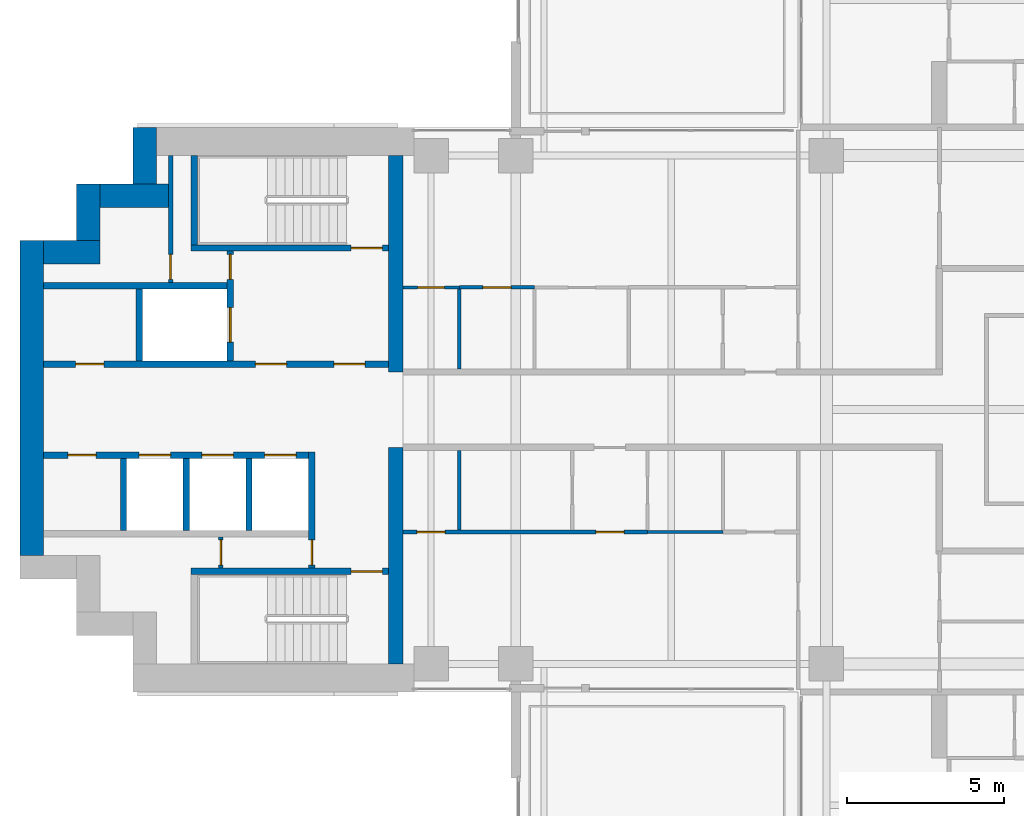
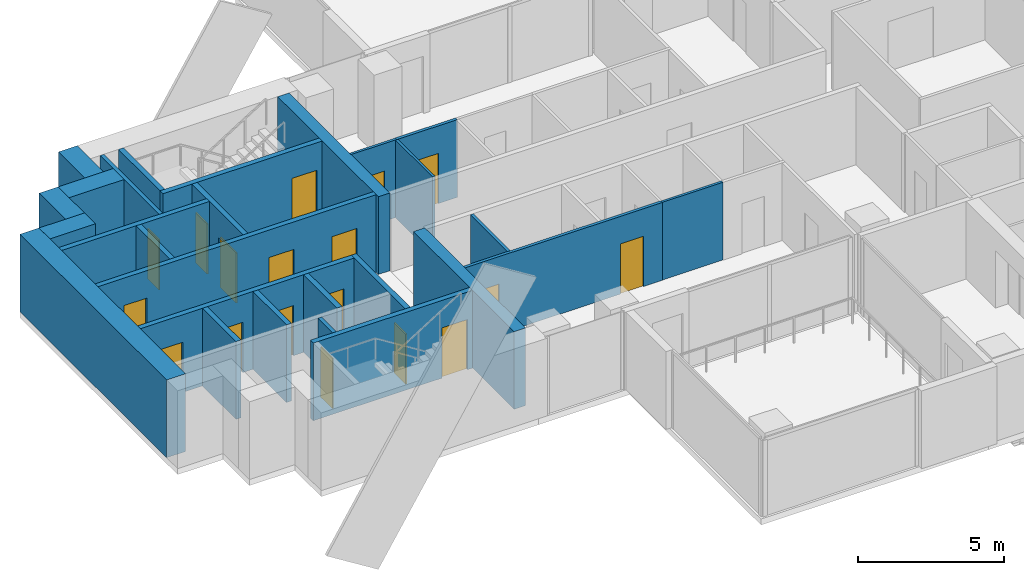
# One storey, part 9 of 19: 27 walls, 18 doors, 18 openings.
"""IFC4 building model written with IfcOpenShell, lengths in metres."""

from ifc_helpers import new_model, si_unit, direction, frame, frame_2d, origin, place, context, subcontext, project, spatial, rectangle, extrude, material, layer, layer_set, type_object, element, fill, save


model = new_model("IFC4")

# Units and contexts
model_context = context("Model", 3, precision=1e-05, world=origin(), true_north=direction((0.0, 1.0)))
body_context = subcontext(model_context, "Body", "Model", "MODEL_VIEW")
ifc_project = project(units=[si_unit("LENGTHUNIT", "METRE"), si_unit("AREAUNIT", "SQUARE_METRE"), si_unit("VOLUMEUNIT", "CUBIC_METRE"), si_unit("PLANEANGLEUNIT", "RADIAN"), si_unit("MASSUNIT", "GRAM", prefix="KILO")], contexts=[model_context])

# Site, building, storey
site_placement = place(None, origin())
site = spatial("IfcSite", under=ifc_project, at=site_placement, CompositionType="ELEMENT")
building_placement = place(site_placement, origin())
building = spatial("IfcBuilding", under=site, at=building_placement, Name="Perihelion Cross Residences", CompositionType="ELEMENT")
storey_placement = place(building_placement, frame((0.0, 0.0, 147.89990234375)))
storey = spatial("IfcBuildingStorey", under=building, at=storey_placement, Name="L36", CompositionType="ELEMENT", Elevation=147.89990234375)

# Walls
ifc_material_1 = material(Name="Concrete C60/75", Category="concrete")
ifc_layer_1 = layer(ifc_material_1, 0.449951171875)
ifc_layer_set_1 = layer_set([ifc_layer_1], Name="Core wall, inner 450")
wall_type_1 = type_object("IfcWallType", Name="Core wall, inner 450", PredefinedType="SHEAR", material=ifc_layer_set_1)
for number, where, z_axis, x_axis, name in (
    (1, (-21.824951171875, -8.10009765625, 0.0), (0.0, 0.0, 1.0), (0.0, 1.0, 0.0), "West core core wall, inner"),
    (2, (-21.824951171875, 1.199951171875, 0.0), (0.0, 0.0, 1.0), (0.0, 1.0, 0.0), "West core core wall, inner"),
):
    element("IfcWall", number, at=place(storey_placement, frame(where, z_axis=z_axis, x_axis=x_axis)), inside=storey, type_object=wall_type_1, Name=name, PredefinedType="SHEAR", context=body_context, shape_type="SweptSolid", body=[
        extrude(rectangle(XDim=6.900146484375, YDim=0.449951171875, at=frame_2d((3.4501953125, 0.0))), origin(), (0.0, 0.0, 1.0), 3.25),
    ])
ifc_material_2 = material(Name="Concrete C60/75", Category="concrete")
ifc_layer_2 = layer(ifc_material_2, 0.75)
ifc_layer_set_2 = layer_set([ifc_layer_2], Name="Core wall, outer 750")
wall_type_2 = type_object("IfcWallType", Name="Core wall, outer 750", PredefinedType="SHEAR", material=ifc_layer_set_2)
wall_1_placement = place(storey_placement, frame((-33.425048828125, -4.64990234375, 0.0), z_axis=(0.0, 0.0, 1.0), x_axis=(0.0, 1.0, 0.0)))
element("IfcWall", 3, at=wall_1_placement, inside=storey, type_object=wall_type_2, Name="West core core wall, outer", PredefinedType="SHEAR", context=body_context, shape_type="SweptSolid", body=[
    extrude(rectangle(XDim=10.0498046875, YDim=0.75, at=frame_2d((5.02490234375, 0.0))), origin(), (0.0, 0.0, 1.0), 3.25),
])
for number, where, z_axis, x_axis, name in (
    (4, (-33.050048828125, 5.02490234375, 0.0), (0.0, 0.0, 1.0), (1.0, 0.0, 0.0), "West core core wall, outer"),
    (5, (-31.625, 5.39990234375, 0.0), (0.0, 0.0, 1.0), (0.0, 1.0, 0.0), "West core core wall, outer"),
):
    element("IfcWall", number, at=place(storey_placement, frame(where, z_axis=z_axis, x_axis=x_axis)), inside=storey, type_object=wall_type_2, Name=name, PredefinedType="SHEAR", context=body_context, shape_type="SweptSolid", body=[
        extrude(rectangle(XDim=1.800048828125, YDim=0.75, at=frame_2d((0.89990234375, 0.0))), origin(), (0.0, 0.0, 1.0), 3.25),
    ])
wall_2_placement = place(storey_placement, frame((-31.25, 6.824951171875, 0.0), z_axis=(0.0, 0.0, 1.0), x_axis=(1.0, 0.0, 0.0)))
element("IfcWall", 6, at=wall_2_placement, inside=storey, type_object=wall_type_2, Name="West core core wall, outer", PredefinedType="SHEAR", context=body_context, shape_type="SweptSolid", body=[
    extrude(rectangle(XDim=2.175048828125, YDim=0.75, at=frame_2d((1.08740234375, 0.0))), origin(), (0.0, 0.0, 1.0), 3.25),
])
wall_3_placement = place(storey_placement, frame((-29.824951171875, 7.199951171875, 0.0), z_axis=(0.0, 0.0, 1.0), x_axis=(0.0, 1.0, 0.0)))
element("IfcWall", 7, at=wall_3_placement, inside=storey, type_object=wall_type_2, Name="West core core wall, outer", PredefinedType="SHEAR", context=body_context, shape_type="SweptSolid", body=[
    extrude(rectangle(XDim=1.800048828125, YDim=0.75, at=frame_2d((0.89990234375, 0.0))), origin(), (0.0, 0.0, 1.0), 3.25),
])

# Wall, opening, door
ifc_material_3 = material(Name="Concrete C50/60", Category="concrete")
ifc_layer_3 = layer(ifc_material_3, 0.199951171875)
ifc_layer_set_3 = layer_set([ifc_layer_3], Name="Lobby wall 200")
wall_type_3 = type_object("IfcWallType", Name="Lobby wall 200", PredefinedType="SOLIDWALL", material=ifc_layer_set_3)
wall_4_placement = place(storey_placement, frame((-24.5, -5.050048828125, 0.0), z_axis=(0.0, 0.0, 1.0), x_axis=(0.0, 1.0, 0.0)))
wall_4 = element("IfcWall", 8, at=wall_4_placement, inside=storey, type_object=wall_type_3, Name="West core lobby wall", PredefinedType="SOLIDWALL", context=body_context, shape_type="SweptSolid", body=[
    extrude(rectangle(XDim=3.699951171875, YDim=0.199951171875, at=frame_2d((1.85009765625, 0.0))), origin(), (0.0, 0.0, 1.0), 3.25),
])
opening_1_placement = place(wall_4_placement, frame((0.10009765625, 0.0, 0.0)))
opening_1 = element("IfcOpeningElement", 9, at=opening_1_placement, cuts=wall_4, Name="Opening L36.C22", PredefinedType="OPENING", context=body_context, shape_type="SweptSolid", body=[
    extrude(rectangle(XDim=0.800048828125, YDim=2.10009765625, at=frame_2d((0.39990234375, 1.050048828125))), frame((0.0, 0.10986328125, 0.0), z_axis=(0.0, -1.0, 0.0), x_axis=(1.0, 0.0, 0.0)), (0.0, 0.0, 1.0), 0.219970703125),
])
ifc_material_4 = material(Name="Steel, powder coated", Category="steel")
door_type_1 = type_object("IfcDoorType", Name="Riser door 800", OperationType="SINGLE_SWING_LEFT", PredefinedType="DOOR", material=ifc_material_4)
door_1_placement = place(opening_1_placement, origin())
door_1 = element("IfcDoor", 10, at=door_1_placement, inside=storey, type_object=door_type_1, Name="West core riser door", OperationType="SINGLE_SWING_LEFT", OverallHeight=2.10009765625, OverallWidth=0.800048828125, PredefinedType="DOOR", context=body_context, shape_type="SweptSolid", body=[
    extrude(rectangle(XDim=0.800048828125, YDim=2.10009765625, at=frame_2d((0.39990234375, 1.050048828125))), frame((0.0, 0.02490234375, 0.0), z_axis=(0.0, -1.0, 0.0), x_axis=(1.0, 0.0, 0.0)), (0.0, 0.0, 1.0), 0.050048828125),
])
fill(opening_1, door_1)

ifc_material_5 = material(Name="Plasterboard partition")
ifc_layer_4 = layer(ifc_material_5, 0.1201171875)
ifc_layer_set_4 = layer_set([ifc_layer_4], Name="Partition wall 120")
wall_type_4 = type_object("IfcWallType", Name="Partition wall 120", PredefinedType="PARTITIONING", material=ifc_layer_set_4)
wall_5_placement = place(storey_placement, frame((-19.800048828125, 3.89990234375, 0.0), z_axis=(0.0, 0.0, 1.0), x_axis=(1.0, 0.0, 0.0)))
wall_5 = element("IfcWall", 11, at=wall_5_placement, inside=storey, type_object=wall_type_4, Name="Partition L36 W053", PredefinedType="PARTITIONING", context=body_context, shape_type="SweptSolid", body=[
    extrude(rectangle(XDim=2.400146484375, YDim=0.1201171875, at=frame_2d((1.2001953125, 0.0))), origin(), (0.0, 0.0, 1.0), 3.25),
])
opening_2_placement = place(wall_5_placement, frame((0.75, 0.0, 0.0)))
opening_2 = element("IfcOpeningElement", 12, at=opening_2_placement, cuts=wall_5, Name="Opening L36.A25", PredefinedType="OPENING", context=body_context, shape_type="SweptSolid", body=[
    extrude(rectangle(XDim=0.89990234375, YDim=2.10009765625, at=frame_2d((0.449951171875, 1.050048828125))), frame((0.0, 0.070068359375, 0.0), z_axis=(0.0, -1.0, 0.0), x_axis=(1.0, 0.0, 0.0)), (0.0, 0.0, 1.0), 0.14013671875),
])
ifc_material_6 = material(Name="Timber door leaf", Category="wood")
door_type_2 = type_object("IfcDoorType", Name="Interior room door 900 x 2100", OperationType="SINGLE_SWING_LEFT", PredefinedType="DOOR", material=ifc_material_6)
door_2_placement = place(opening_2_placement, origin())
door_2 = element("IfcDoor", 13, at=door_2_placement, inside=storey, type_object=door_type_2, Name="Door L36.A25", OperationType="SINGLE_SWING_RIGHT", OverallHeight=2.10009765625, OverallWidth=0.89990234375, PredefinedType="DOOR", context=body_context, shape_type="SweptSolid", body=[
    extrude(rectangle(XDim=0.89990234375, YDim=2.10009765625, at=frame_2d((0.449951171875, 1.050048828125))), frame((0.0, 0.02490234375, 0.0), z_axis=(0.0, -1.0, 0.0), x_axis=(1.0, 0.0, 0.0)), (0.0, 0.0, 1.0), 0.050048828125),
])
fill(opening_2, door_2)

# Wall, openings, doors
wall_6_placement = place(storey_placement, frame((-13.800048828125, -3.89990234375, 0.0), z_axis=(0.0, 0.0, 1.0), x_axis=(-1.0, 0.0, 0.0)))
wall_6 = element("IfcWall", 14, at=wall_6_placement, inside=storey, type_object=wall_type_4, Name="Partition L36 W062", PredefinedType="PARTITIONING", context=body_context, shape_type="SweptSolid", body=[
    extrude(rectangle(XDim=7.800048828125, YDim=0.1201171875, at=frame_2d((3.89990234375, 0.0))), origin(), (0.0, 0.0, 1.0), 3.25),
])
opening_3_placement = place(wall_6_placement, frame((6.449951171875, 0.0, 0.0)))
opening_3 = element("IfcOpeningElement", 15, at=opening_3_placement, cuts=wall_6, Name="Opening L36.A30", PredefinedType="OPENING", context=body_context, shape_type="SweptSolid", body=[
    extrude(rectangle(XDim=0.89990234375, YDim=2.10009765625, at=frame_2d((0.449951171875, 1.050048828125))), frame((0.0, 0.070068359375, 0.0), z_axis=(0.0, -1.0, 0.0), x_axis=(1.0, 0.0, 0.0)), (0.0, 0.0, 1.0), 0.14013671875),
])
opening_4_placement = place(wall_6_placement, frame((0.75, 0.0, 0.0)))
opening_4 = element("IfcOpeningElement", 16, at=opening_4_placement, cuts=wall_6, Name="Opening L36.A32", PredefinedType="OPENING", context=body_context, shape_type="SweptSolid", body=[
    extrude(rectangle(XDim=0.89990234375, YDim=2.10009765625, at=frame_2d((0.449951171875, 1.050048828125))), frame((0.0, 0.070068359375, 0.0), z_axis=(0.0, -1.0, 0.0), x_axis=(1.0, 0.0, 0.0)), (0.0, 0.0, 1.0), 0.14013671875),
])
door_3_placement = place(opening_3_placement, origin())
door_3 = element("IfcDoor", 17, at=door_3_placement, inside=storey, type_object=door_type_2, Name="Door L36.A30", OperationType="SINGLE_SWING_LEFT", OverallHeight=2.10009765625, OverallWidth=0.89990234375, PredefinedType="DOOR", context=body_context, shape_type="SweptSolid", body=[
    extrude(rectangle(XDim=0.89990234375, YDim=2.10009765625, at=frame_2d((0.449951171875, 1.050048828125))), frame((0.0, 0.02490234375, 0.0), z_axis=(0.0, -1.0, 0.0), x_axis=(1.0, 0.0, 0.0)), (0.0, 0.0, 1.0), 0.050048828125),
])
fill(opening_3, door_3)
door_4_placement = place(opening_4_placement, origin())
door_4 = element("IfcDoor", 18, at=door_4_placement, inside=storey, type_object=door_type_2, Name="Door L36.A32", OperationType="SINGLE_SWING_LEFT", OverallHeight=2.10009765625, OverallWidth=0.89990234375, PredefinedType="DOOR", context=body_context, shape_type="SweptSolid", body=[
    extrude(rectangle(XDim=0.89990234375, YDim=2.10009765625, at=frame_2d((0.449951171875, 1.050048828125))), frame((0.0, 0.02490234375, 0.0), z_axis=(0.0, -1.0, 0.0), x_axis=(1.0, 0.0, 0.0)), (0.0, 0.0, 1.0), 0.050048828125),
])
fill(opening_4, door_4)

# Wall
wall_7_placement = place(storey_placement, frame((-19.800048828125, -3.840087890625, 0.0), z_axis=(0.0, 0.0, 1.0), x_axis=(0.0, 1.0, 0.0)))
element("IfcWall", 19, at=wall_7_placement, inside=storey, type_object=wall_type_4, Name="Partition L36 W063", PredefinedType="PARTITIONING", context=body_context, shape_type="SweptSolid", body=[
    extrude(rectangle(XDim=2.5400390625, YDim=0.1201171875, at=frame_2d((1.27001953125, 0.0))), origin(), (0.0, 0.0, 1.0), 3.25),
])

# Wall, opening, door
ifc_material_7 = material(Name="Fire-rated board on steel stud", Category="steel")
ifc_layer_5 = layer(ifc_material_7, 0.14990234375)
ifc_layer_set_5 = layer_set([ifc_layer_5], Name="Riser wall 150")
wall_type_5 = type_object("IfcWallType", Name="Riser wall 150", PredefinedType="PARTITIONING", material=ifc_layer_set_5)
wall_8_placement = place(storey_placement, frame((-29.0, 4.050048828125, 0.0), z_axis=(0.0, 0.0, 1.0), x_axis=(0.0, 1.0, 0.0)))
wall_8 = element("IfcWall", 20, at=wall_8_placement, inside=storey, type_object=wall_type_5, Name="West core riser wall", PredefinedType="PARTITIONING", context=body_context, shape_type="SweptSolid", body=[
    extrude(rectangle(XDim=4.050048828125, YDim=0.14990234375, at=frame_2d((2.02490234375, 0.0))), origin(), (0.0, 0.0, 1.0), 3.25),
])
opening_5_placement = place(wall_8_placement, frame((0.10009765625, 0.0, 0.0)))
opening_5 = element("IfcOpeningElement", 21, at=opening_5_placement, cuts=wall_8, Name="Opening L36.C26", PredefinedType="OPENING", context=body_context, shape_type="SweptSolid", body=[
    extrude(rectangle(XDim=0.800048828125, YDim=2.10009765625, at=frame_2d((0.39990234375, 1.050048828125))), frame((0.0, 0.0849609375, 0.0), z_axis=(0.0, -1.0, 0.0), x_axis=(1.0, 0.0, 0.0)), (0.0, 0.0, 1.0), 0.169921875),
])
door_5_placement = place(opening_5_placement, origin())
door_5 = element("IfcDoor", 22, at=door_5_placement, inside=storey, type_object=door_type_1, Name="West core riser door", OperationType="SINGLE_SWING_LEFT", OverallHeight=2.10009765625, OverallWidth=0.800048828125, PredefinedType="DOOR", context=body_context, shape_type="SweptSolid", body=[
    extrude(rectangle(XDim=0.800048828125, YDim=2.10009765625, at=frame_2d((0.39990234375, 1.050048828125))), frame((0.0, 0.02490234375, 0.0), z_axis=(0.0, -1.0, 0.0), x_axis=(1.0, 0.0, 0.0)), (0.0, 0.0, 1.0), 0.050048828125),
])
fill(opening_5, door_5)

wall_9_placement = place(storey_placement, frame((-27.39990234375, -5.050048828125, 0.0), z_axis=(0.0, 0.0, 1.0), x_axis=(0.0, 1.0, 0.0)))
wall_9 = element("IfcWall", 23, at=wall_9_placement, inside=storey, type_object=wall_type_5, Name="West core riser wall", PredefinedType="PARTITIONING", context=body_context, shape_type="SweptSolid", body=[
    extrude(rectangle(XDim=1.0, YDim=0.14990234375, at=frame_2d((0.5, 0.0))), origin(), (0.0, 0.0, 1.0), 3.25),
])
opening_6_placement = place(wall_9_placement, frame((0.10009765625, 0.0, 0.0)))
opening_6 = element("IfcOpeningElement", 24, at=opening_6_placement, cuts=wall_9, Name="Opening L36.C25", PredefinedType="OPENING", context=body_context, shape_type="SweptSolid", body=[
    extrude(rectangle(XDim=0.800048828125, YDim=2.10009765625, at=frame_2d((0.39990234375, 1.050048828125))), frame((0.0, 0.0849609375, 0.0), z_axis=(0.0, -1.0, 0.0), x_axis=(1.0, 0.0, 0.0)), (0.0, 0.0, 1.0), 0.169921875),
])
door_6_placement = place(opening_6_placement, origin())
door_6 = element("IfcDoor", 25, at=door_6_placement, inside=storey, type_object=door_type_1, Name="West core riser door", OperationType="SINGLE_SWING_LEFT", OverallHeight=2.10009765625, OverallWidth=0.800048828125, PredefinedType="DOOR", context=body_context, shape_type="SweptSolid", body=[
    extrude(rectangle(XDim=0.800048828125, YDim=2.10009765625, at=frame_2d((0.39990234375, 1.050048828125))), frame((0.0, 0.02490234375, 0.0), z_axis=(0.0, -1.0, 0.0), x_axis=(1.0, 0.0, 0.0)), (0.0, 0.0, 1.0), 0.050048828125),
])
fill(opening_6, door_6)

# Wall, openings, doors
ifc_material_8 = material(Name="Concrete C50/60", Category="concrete")
ifc_layer_6 = layer(ifc_material_8, 0.199951171875)
ifc_layer_set_6 = layer_set([ifc_layer_6], Name="Shaft wall 200")
wall_type_6 = type_object("IfcWallType", Name="Shaft wall 200", PredefinedType="SOLIDWALL", material=ifc_layer_set_6)
wall_10_placement = place(storey_placement, frame((-33.050048828125, 1.449951171875, 0.0), z_axis=(0.0, 0.0, 1.0), x_axis=(1.0, 0.0, 0.0)))
wall_10 = element("IfcWall", 26, at=wall_10_placement, inside=storey, type_object=wall_type_6, Name="West core shaft wall", PredefinedType="SOLIDWALL", context=body_context, shape_type="SweptSolid", body=[
    extrude(rectangle(XDim=11.0, YDim=0.199951171875, at=frame_2d((5.5, 0.0))), origin(), (0.0, 0.0, 1.0), 3.25),
])
opening_7_placement = place(wall_10_placement, frame((9.25, 0.0, 0.0)))
opening_7 = element("IfcOpeningElement", 27, at=opening_7_placement, cuts=wall_10, Name="Opening L36.C21", PredefinedType="OPENING", context=body_context, shape_type="SweptSolid", body=[
    extrude(rectangle(XDim=1.0, YDim=2.10009765625, at=frame_2d((0.5, 1.050048828125))), frame((0.0, 0.10986328125, 0.0), z_axis=(0.0, -1.0, 0.0), x_axis=(1.0, 0.0, 0.0)), (0.0, 0.0, 1.0), 0.219970703125),
])
opening_8_placement = place(wall_10_placement, frame((6.75, 0.0, 0.0)))
opening_8 = element("IfcOpeningElement", 28, at=opening_8_placement, cuts=wall_10, Name="Opening L36.C23", PredefinedType="OPENING", context=body_context, shape_type="SweptSolid", body=[
    extrude(rectangle(XDim=1.0, YDim=2.10009765625, at=frame_2d((0.5, 1.050048828125))), frame((0.0, 0.10986328125, 0.0), z_axis=(0.0, -1.0, 0.0), x_axis=(1.0, 0.0, 0.0)), (0.0, 0.0, 1.0), 0.219970703125),
])
opening_9_placement = place(wall_10_placement, frame((1.02490234375, 0.0, 0.0)))
opening_9 = element("IfcOpeningElement", 29, at=opening_9_placement, cuts=wall_10, Name="Opening L36.C27", PredefinedType="OPENING", context=body_context, shape_type="SweptSolid", body=[
    extrude(rectangle(XDim=0.89990234375, YDim=2.10009765625, at=frame_2d((0.449951171875, 1.050048828125))), frame((0.0, 0.10986328125, 0.0), z_axis=(0.0, -1.0, 0.0), x_axis=(1.0, 0.0, 0.0)), (0.0, 0.0, 1.0), 0.219970703125),
])
ifc_material_9 = material(Name="Steel, powder coated", Category="steel")
door_type_3 = type_object("IfcDoorType", Name="Lobby door 1000", OperationType="SINGLE_SWING_LEFT", PredefinedType="DOOR", material=ifc_material_9)
door_7_placement = place(opening_7_placement, origin())
door_7 = element("IfcDoor", 30, at=door_7_placement, inside=storey, type_object=door_type_3, Name="West core firefighting lobby door", OperationType="SINGLE_SWING_LEFT", OverallHeight=2.10009765625, OverallWidth=1.0, PredefinedType="DOOR", context=body_context, shape_type="SweptSolid", body=[
    extrude(rectangle(XDim=1.0, YDim=2.10009765625, at=frame_2d((0.5, 1.050048828125))), frame((0.0, 0.02490234375, 0.0), z_axis=(0.0, -1.0, 0.0), x_axis=(1.0, 0.0, 0.0)), (0.0, 0.0, 1.0), 0.050048828125),
])
fill(opening_7, door_7)
door_8_placement = place(opening_8_placement, origin())
door_8 = element("IfcDoor", 31, at=door_8_placement, inside=storey, type_object=door_type_3, Name="West core firefighting lobby door", OperationType="SINGLE_SWING_LEFT", OverallHeight=2.10009765625, OverallWidth=1.0, PredefinedType="DOOR", context=body_context, shape_type="SweptSolid", body=[
    extrude(rectangle(XDim=1.0, YDim=2.10009765625, at=frame_2d((0.5, 1.050048828125))), frame((0.0, 0.02490234375, 0.0), z_axis=(0.0, -1.0, 0.0), x_axis=(1.0, 0.0, 0.0)), (0.0, 0.0, 1.0), 0.050048828125),
])
fill(opening_8, door_8)
ifc_material_10 = material(Name="Steel, powder coated", Category="steel")
door_type_4 = type_object("IfcDoorType", Name="Service room door 900", OperationType="SINGLE_SWING_LEFT", PredefinedType="DOOR", material=ifc_material_10)
door_9_placement = place(opening_9_placement, origin())
door_9 = element("IfcDoor", 32, at=door_9_placement, inside=storey, type_object=door_type_4, Name="West core service room door", OperationType="SINGLE_SWING_LEFT", OverallHeight=2.10009765625, OverallWidth=0.89990234375, PredefinedType="DOOR", context=body_context, shape_type="SweptSolid", body=[
    extrude(rectangle(XDim=0.89990234375, YDim=2.10009765625, at=frame_2d((0.449951171875, 1.050048828125))), frame((0.0, 0.02490234375, 0.0), z_axis=(0.0, -1.0, 0.0), x_axis=(1.0, 0.0, 0.0)), (0.0, 0.0, 1.0), 0.050048828125),
])
fill(opening_9, door_9)

wall_11_placement = place(storey_placement, frame((-33.050048828125, -1.449951171875, 0.0), z_axis=(0.0, 0.0, 1.0), x_axis=(1.0, 0.0, 0.0)))
wall_11 = element("IfcWall", 33, at=wall_11_placement, inside=storey, type_object=wall_type_6, Name="West core shaft wall", PredefinedType="SOLIDWALL", context=body_context, shape_type="SweptSolid", body=[
    extrude(rectangle(XDim=8.449951171875, YDim=0.199951171875, at=frame_2d((4.22509765625, 0.0))), origin(), (0.0, 0.0, 1.0), 3.25),
])
opening_10_placement = place(wall_11_placement, frame((7.050048828125, 0.0, 0.0)))
opening_10 = element("IfcOpeningElement", 34, at=opening_10_placement, cuts=wall_11, Name="Opening L36.C15", PredefinedType="OPENING", context=body_context, shape_type="SweptSolid", body=[
    extrude(rectangle(XDim=1.0, YDim=2.10009765625, at=frame_2d((0.5, 1.050048828125))), frame((0.0, 0.10986328125, 0.0), z_axis=(0.0, -1.0, 0.0), x_axis=(1.0, 0.0, 0.0)), (0.0, 0.0, 1.0), 0.219970703125),
])
opening_11_placement = place(wall_11_placement, frame((5.050048828125, 0.0, 0.0)))
opening_11 = element("IfcOpeningElement", 35, at=opening_11_placement, cuts=wall_11, Name="Opening L36.C17", PredefinedType="OPENING", context=body_context, shape_type="SweptSolid", body=[
    extrude(rectangle(XDim=1.0, YDim=2.10009765625, at=frame_2d((0.5, 1.050048828125))), frame((0.0, 0.10986328125, 0.0), z_axis=(0.0, -1.0, 0.0), x_axis=(1.0, 0.0, 0.0)), (0.0, 0.0, 1.0), 0.219970703125),
])
opening_12_placement = place(wall_11_placement, frame((3.050048828125, 0.0, 0.0)))
opening_12 = element("IfcOpeningElement", 36, at=opening_12_placement, cuts=wall_11, Name="Opening L36.C18", PredefinedType="OPENING", context=body_context, shape_type="SweptSolid", body=[
    extrude(rectangle(XDim=1.0, YDim=2.10009765625, at=frame_2d((0.5, 1.050048828125))), frame((0.0, 0.10986328125, 0.0), z_axis=(0.0, -1.0, 0.0), x_axis=(1.0, 0.0, 0.0)), (0.0, 0.0, 1.0), 0.219970703125),
])
opening_13_placement = place(wall_11_placement, frame((0.77490234375, 0.0, 0.0)))
opening_13 = element("IfcOpeningElement", 37, at=opening_13_placement, cuts=wall_11, Name="Opening L36.C28", PredefinedType="OPENING", context=body_context, shape_type="SweptSolid", body=[
    extrude(rectangle(XDim=0.89990234375, YDim=2.10009765625, at=frame_2d((0.449951171875, 1.050048828125))), frame((0.0, 0.10986328125, 0.0), z_axis=(0.0, -1.0, 0.0), x_axis=(1.0, 0.0, 0.0)), (0.0, 0.0, 1.0), 0.219970703125),
])
ifc_material_11 = material(Name="Stainless steel", Category="steel")
door_type_5 = type_object("IfcDoorType", Name="Landing door 1000", OperationType="DOUBLE_DOOR_SLIDING", PredefinedType="DOOR", material=ifc_material_11)
door_10_placement = place(opening_10_placement, origin())
door_10 = element("IfcDoor", 38, at=door_10_placement, inside=storey, type_object=door_type_5, Name="Landing door, West core high-rise lift 1", OperationType="DOUBLE_DOOR_SLIDING", OverallHeight=2.10009765625, OverallWidth=1.0, PredefinedType="DOOR", context=body_context, shape_type="SweptSolid", body=[
    extrude(rectangle(XDim=1.0, YDim=2.10009765625, at=frame_2d((0.5, 1.050048828125))), frame((0.0, 0.02490234375, 0.0), z_axis=(0.0, -1.0, 0.0), x_axis=(1.0, 0.0, 0.0)), (0.0, 0.0, 1.0), 0.050048828125),
])
fill(opening_10, door_10)
door_11_placement = place(opening_11_placement, origin())
door_11 = element("IfcDoor", 39, at=door_11_placement, inside=storey, type_object=door_type_5, Name="Landing door, West core high-rise lift 2", OperationType="DOUBLE_DOOR_SLIDING", OverallHeight=2.10009765625, OverallWidth=1.0, PredefinedType="DOOR", context=body_context, shape_type="SweptSolid", body=[
    extrude(rectangle(XDim=1.0, YDim=2.10009765625, at=frame_2d((0.5, 1.050048828125))), frame((0.0, 0.02490234375, 0.0), z_axis=(0.0, -1.0, 0.0), x_axis=(1.0, 0.0, 0.0)), (0.0, 0.0, 1.0), 0.050048828125),
])
fill(opening_11, door_11)
door_12_placement = place(opening_12_placement, origin())
door_12 = element("IfcDoor", 40, at=door_12_placement, inside=storey, type_object=door_type_5, Name="Landing door, West core high-rise lift 3", OperationType="DOUBLE_DOOR_SLIDING", OverallHeight=2.10009765625, OverallWidth=1.0, PredefinedType="DOOR", context=body_context, shape_type="SweptSolid", body=[
    extrude(rectangle(XDim=1.0, YDim=2.10009765625, at=frame_2d((0.5, 1.050048828125))), frame((0.0, 0.02490234375, 0.0), z_axis=(0.0, -1.0, 0.0), x_axis=(1.0, 0.0, 0.0)), (0.0, 0.0, 1.0), 0.050048828125),
])
fill(opening_12, door_12)
door_13_placement = place(opening_13_placement, origin())
door_13 = element("IfcDoor", 41, at=door_13_placement, inside=storey, type_object=door_type_4, Name="West core service room door", OperationType="SINGLE_SWING_LEFT", OverallHeight=2.10009765625, OverallWidth=0.89990234375, PredefinedType="DOOR", context=body_context, shape_type="SweptSolid", body=[
    extrude(rectangle(XDim=0.89990234375, YDim=2.10009765625, at=frame_2d((0.449951171875, 1.050048828125))), frame((0.0, 0.02490234375, 0.0), z_axis=(0.0, -1.0, 0.0), x_axis=(1.0, 0.0, 0.0)), (0.0, 0.0, 1.0), 0.050048828125),
])
fill(opening_13, door_13)

# Wall
wall_12_placement = place(storey_placement, frame((-33.050048828125, 3.949951171875, 0.0), z_axis=(0.0, 0.0, 1.0), x_axis=(1.0, 0.0, 0.0)))
element("IfcWall", 42, at=wall_12_placement, inside=storey, type_object=wall_type_6, Name="West core shaft wall", PredefinedType="SOLIDWALL", context=body_context, shape_type="SweptSolid", body=[
    extrude(rectangle(XDim=5.85009765625, YDim=0.199951171875, at=frame_2d((2.925048828125, 0.0))), origin(), (0.0, 0.0, 1.0), 3.25),
])

# Wall, openings, doors
wall_13_placement = place(storey_placement, frame((-27.10009765625, 1.550048828125, 0.0), z_axis=(0.0, 0.0, 1.0), x_axis=(0.0, 1.0, 0.0)))
wall_13 = element("IfcWall", 43, at=wall_13_placement, inside=storey, type_object=wall_type_6, Name="West core shaft wall", PredefinedType="SOLIDWALL", context=body_context, shape_type="SweptSolid", body=[
    extrude(rectangle(XDim=3.5, YDim=0.199951171875, at=frame_2d((1.75, 0.0))), origin(), (0.0, 0.0, 1.0), 3.25),
])
opening_14_placement = place(wall_13_placement, frame((0.60009765625, 0.0, 0.0)))
opening_14 = element("IfcOpeningElement", 44, at=opening_14_placement, cuts=wall_13, Name="Opening L36.C16", PredefinedType="OPENING", context=body_context, shape_type="SweptSolid", body=[
    extrude(rectangle(XDim=1.10009765625, YDim=2.10009765625, at=frame_2d((0.550048828125, 1.050048828125))), frame((0.0, 0.10986328125, 0.0), z_axis=(0.0, -1.0, 0.0), x_axis=(1.0, 0.0, 0.0)), (0.0, 0.0, 1.0), 0.219970703125),
])
opening_15_placement = place(wall_13_placement, frame((2.60009765625, 0.0, 0.0)))
opening_15 = element("IfcOpeningElement", 45, at=opening_15_placement, cuts=wall_13, Name="Opening L36.C24", PredefinedType="OPENING", context=body_context, shape_type="SweptSolid", body=[
    extrude(rectangle(XDim=0.800048828125, YDim=2.10009765625, at=frame_2d((0.39990234375, 1.050048828125))), frame((0.0, 0.10986328125, 0.0), z_axis=(0.0, -1.0, 0.0), x_axis=(1.0, 0.0, 0.0)), (0.0, 0.0, 1.0), 0.219970703125),
])
ifc_material_12 = material(Name="Stainless steel", Category="steel")
door_type_6 = type_object("IfcDoorType", Name="Landing door, firefighting lift 1100", OperationType="DOUBLE_DOOR_SLIDING", PredefinedType="DOOR", material=ifc_material_12)
door_14_placement = place(opening_14_placement, origin())
door_14 = element("IfcDoor", 46, at=door_14_placement, inside=storey, type_object=door_type_6, Name="Landing door, West core firefighting and service lift", OperationType="DOUBLE_DOOR_SLIDING", OverallHeight=2.10009765625, OverallWidth=1.10009765625, PredefinedType="DOOR", context=body_context, shape_type="SweptSolid", body=[
    extrude(rectangle(XDim=1.10009765625, YDim=2.10009765625, at=frame_2d((0.550048828125, 1.050048828125))), frame((0.0, 0.02490234375, 0.0), z_axis=(0.0, -1.0, 0.0), x_axis=(1.0, 0.0, 0.0)), (0.0, 0.0, 1.0), 0.050048828125),
])
fill(opening_14, door_14)
door_15_placement = place(opening_15_placement, origin())
door_15 = element("IfcDoor", 47, at=door_15_placement, inside=storey, type_object=door_type_1, Name="West core riser door", OperationType="SINGLE_SWING_LEFT", OverallHeight=2.10009765625, OverallWidth=0.800048828125, PredefinedType="DOOR", context=body_context, shape_type="SweptSolid", body=[
    extrude(rectangle(XDim=0.800048828125, YDim=2.10009765625, at=frame_2d((0.39990234375, 1.050048828125))), frame((0.0, 0.02490234375, 0.0), z_axis=(0.0, -1.0, 0.0), x_axis=(1.0, 0.0, 0.0)), (0.0, 0.0, 1.0), 0.050048828125),
])
fill(opening_15, door_15)

# Walls
for number, where, z_axis, x_axis, name in (
    (48, (-30.0, 1.550048828125, 0.0), (0.0, 0.0, 1.0), (0.0, 1.0, 0.0), "West core shaft wall"),
    (49, (-26.5, -3.85009765625, 0.0), (0.0, 0.0, 1.0), (0.0, 1.0, 0.0), "West core shaft wall"),
    (50, (-28.5, -3.85009765625, 0.0), (0.0, 0.0, 1.0), (0.0, 1.0, 0.0), "West core shaft wall"),
    (51, (-30.5, -3.85009765625, 0.0), (0.0, 0.0, 1.0), (0.0, 1.0, 0.0), "West core shaft wall"),
):
    element("IfcWall", number, at=place(storey_placement, frame(where, z_axis=z_axis, x_axis=x_axis)), inside=storey, type_object=wall_type_6, Name=name, PredefinedType="SOLIDWALL", context=body_context, shape_type="SweptSolid", body=[
        extrude(rectangle(XDim=2.300048828125, YDim=0.199951171875, at=frame_2d((1.14990234375, 0.0))), origin(), (0.0, 0.0, 1.0), 3.25),
    ])

# Wall, opening, door
ifc_material_13 = material(Name="Concrete C50/60", Category="concrete")
ifc_layer_7 = layer(ifc_material_13, 0.199951171875)
ifc_layer_set_7 = layer_set([ifc_layer_7], Name="Stair wall 200")
wall_type_7 = type_object("IfcWallType", Name="Stair wall 200", PredefinedType="SOLIDWALL", material=ifc_layer_set_7)
wall_14_placement = place(storey_placement, frame((-28.35009765625, 5.14990234375, 0.0), z_axis=(0.0, 0.0, 1.0), x_axis=(1.0, 0.0, 0.0)))
wall_14 = element("IfcWall", 52, at=wall_14_placement, inside=storey, type_object=wall_type_7, Name="West core stair wall", PredefinedType="SOLIDWALL", context=body_context, shape_type="SweptSolid", body=[
    extrude(rectangle(XDim=6.300048828125, YDim=0.199951171875, at=frame_2d((3.14990234375, 0.0))), origin(), (0.0, 0.0, 1.0), 3.25),
])
opening_16_placement = place(wall_14_placement, frame((5.10009765625, 0.0, 0.0)))
opening_16 = element("IfcOpeningElement", 53, at=opening_16_placement, cuts=wall_14, Name="Opening L36.C20", PredefinedType="OPENING", context=body_context, shape_type="SweptSolid", body=[
    extrude(rectangle(XDim=1.0, YDim=2.10009765625, at=frame_2d((0.5, 1.050048828125))), frame((0.0, 0.10986328125, 0.0), z_axis=(0.0, -1.0, 0.0), x_axis=(1.0, 0.0, 0.0)), (0.0, 0.0, 1.0), 0.219970703125),
])
ifc_material_14 = material(Name="Steel, powder coated", Category="steel")
door_type_7 = type_object("IfcDoorType", Name="Stair door 1000", OperationType="SINGLE_SWING_LEFT", PredefinedType="DOOR", material=ifc_material_14)
door_16_placement = place(opening_16_placement, origin())
door_16 = element("IfcDoor", 54, at=door_16_placement, inside=storey, type_object=door_type_7, Name="West core stair door", OperationType="SINGLE_SWING_LEFT", OverallHeight=2.10009765625, OverallWidth=1.0, PredefinedType="DOOR", context=body_context, shape_type="SweptSolid", body=[
    extrude(rectangle(XDim=1.0, YDim=2.10009765625, at=frame_2d((0.5, 1.050048828125))), frame((0.0, 0.02490234375, 0.0), z_axis=(0.0, -1.0, 0.0), x_axis=(1.0, 0.0, 0.0)), (0.0, 0.0, 1.0), 0.050048828125),
])
fill(opening_16, door_16)

wall_15_placement = place(storey_placement, frame((-28.35009765625, -5.14990234375, 0.0), z_axis=(0.0, 0.0, 1.0), x_axis=(1.0, 0.0, 0.0)))
wall_15 = element("IfcWall", 55, at=wall_15_placement, inside=storey, type_object=wall_type_7, Name="West core stair wall", PredefinedType="SOLIDWALL", context=body_context, shape_type="SweptSolid", body=[
    extrude(rectangle(XDim=6.300048828125, YDim=0.199951171875, at=frame_2d((3.14990234375, 0.0))), origin(), (0.0, 0.0, 1.0), 3.25),
])
opening_17_placement = place(wall_15_placement, frame((5.10009765625, 0.0, 0.0)))
opening_17 = element("IfcOpeningElement", 56, at=opening_17_placement, cuts=wall_15, Name="Opening L36.C19", PredefinedType="OPENING", context=body_context, shape_type="SweptSolid", body=[
    extrude(rectangle(XDim=1.0, YDim=2.10009765625, at=frame_2d((0.5, 1.050048828125))), frame((0.0, 0.10986328125, 0.0), z_axis=(0.0, -1.0, 0.0), x_axis=(1.0, 0.0, 0.0)), (0.0, 0.0, 1.0), 0.219970703125),
])
door_17_placement = place(opening_17_placement, origin())
door_17 = element("IfcDoor", 57, at=door_17_placement, inside=storey, type_object=door_type_7, Name="West core stair door", OperationType="SINGLE_SWING_LEFT", OverallHeight=2.10009765625, OverallWidth=1.0, PredefinedType="DOOR", context=body_context, shape_type="SweptSolid", body=[
    extrude(rectangle(XDim=1.0, YDim=2.10009765625, at=frame_2d((0.5, 1.050048828125))), frame((0.0, 0.02490234375, 0.0), z_axis=(0.0, -1.0, 0.0), x_axis=(1.0, 0.0, 0.0)), (0.0, 0.0, 1.0), 0.050048828125),
])
fill(opening_17, door_17)

# Walls
wall_16_placement = place(storey_placement, frame((-28.25, 5.25, 0.0), z_axis=(0.0, 0.0, 1.0), x_axis=(0.0, 1.0, 0.0)))
element("IfcWall", 58, at=wall_16_placement, inside=storey, type_object=wall_type_7, Name="West core stair wall", PredefinedType="SOLIDWALL", context=body_context, shape_type="SweptSolid", body=[
    extrude(rectangle(XDim=2.85009765625, YDim=0.199951171875, at=frame_2d((1.425048828125, 0.0))), origin(), (0.0, 0.0, 1.0), 3.25),
])
ifc_material_15 = material(Name="Plasterboard partition")
ifc_layer_8 = layer(ifc_material_15, 0.10009765625)
ifc_layer_set_8 = layer_set([ifc_layer_8], Name="Wet room wall 100")
wall_type_8 = type_object("IfcWallType", Name="Wet room wall 100", PredefinedType="PARTITIONING", material=ifc_layer_set_8)
wall_17_placement = place(storey_placement, frame((-19.800048828125, 1.300048828125, 0.0), z_axis=(0.0, 0.0, 1.0), x_axis=(0.0, 1.0, 0.0)))
element("IfcWall", 59, at=wall_17_placement, inside=storey, type_object=wall_type_8, Name="Partition L36 W052", PredefinedType="PARTITIONING", context=body_context, shape_type="SweptSolid", body=[
    extrude(rectangle(XDim=2.5400390625, YDim=0.10009765625, at=frame_2d((1.27001953125, 0.0))), origin(), (0.0, 0.0, 1.0), 3.25),
])

# Wall, opening, door
wall_18_placement = place(storey_placement, frame((-21.60009765625, 3.89990234375, 0.0), z_axis=(0.0, 0.0, 1.0), x_axis=(1.0, 0.0, 0.0)))
wall_18 = element("IfcWall", 60, at=wall_18_placement, inside=storey, type_object=wall_type_8, Name="Partition L36 W054", PredefinedType="PARTITIONING", context=body_context, shape_type="SweptSolid", body=[
    extrude(rectangle(XDim=1.800048828125, YDim=0.10009765625, at=frame_2d((0.89990234375, 0.0))), origin(), (0.0, 0.0, 1.0), 3.25),
])
opening_18_placement = place(wall_18_placement, frame((0.47509765625, 0.0, 0.0)))
opening_18 = element("IfcOpeningElement", 61, at=opening_18_placement, cuts=wall_18, Name="Opening L36.A22", PredefinedType="OPENING", context=body_context, shape_type="SweptSolid", body=[
    extrude(rectangle(XDim=0.85009765625, YDim=2.10009765625, at=frame_2d((0.425048828125, 1.050048828125))), frame((0.0, 0.06005859375, 0.0), z_axis=(0.0, -1.0, 0.0), x_axis=(1.0, 0.0, 0.0)), (0.0, 0.0, 1.0), 0.1201171875),
])
ifc_material_16 = material(Name="Timber door leaf", Category="wood")
door_type_8 = type_object("IfcDoorType", Name="Interior bathroom door 850 x 2100", OperationType="SINGLE_SWING_LEFT", PredefinedType="DOOR", material=ifc_material_16)
door_18_placement = place(opening_18_placement, origin())
door_18 = element("IfcDoor", 62, at=door_18_placement, inside=storey, type_object=door_type_8, Name="Door L36.A22", OperationType="SINGLE_SWING_LEFT", OverallHeight=2.10009765625, OverallWidth=0.85009765625, PredefinedType="DOOR", context=body_context, shape_type="SweptSolid", body=[
    extrude(rectangle(XDim=0.85009765625, YDim=2.10009765625, at=frame_2d((0.425048828125, 1.050048828125))), frame((0.0, 0.02490234375, 0.0), z_axis=(0.0, -1.0, 0.0), x_axis=(1.0, 0.0, 0.0)), (0.0, 0.0, 1.0), 0.050048828125),
])
fill(opening_18, door_18)

# Wall
wall_19_placement = place(storey_placement, frame((-11.39990234375, -3.89990234375, 0.0), z_axis=(0.0, 0.0, 1.0), x_axis=(-1.0, 0.0, 0.0)))
element("IfcWall", 63, at=wall_19_placement, inside=storey, type_object=wall_type_8, Name="Partition L36 W060", PredefinedType="PARTITIONING", context=body_context, shape_type="SweptSolid", body=[
    extrude(rectangle(XDim=2.400146484375, YDim=0.10009765625, at=frame_2d((1.2001953125, 0.0))), origin(), (0.0, 0.0, 1.0), 3.25),
])

save(model, "model.ifc")
